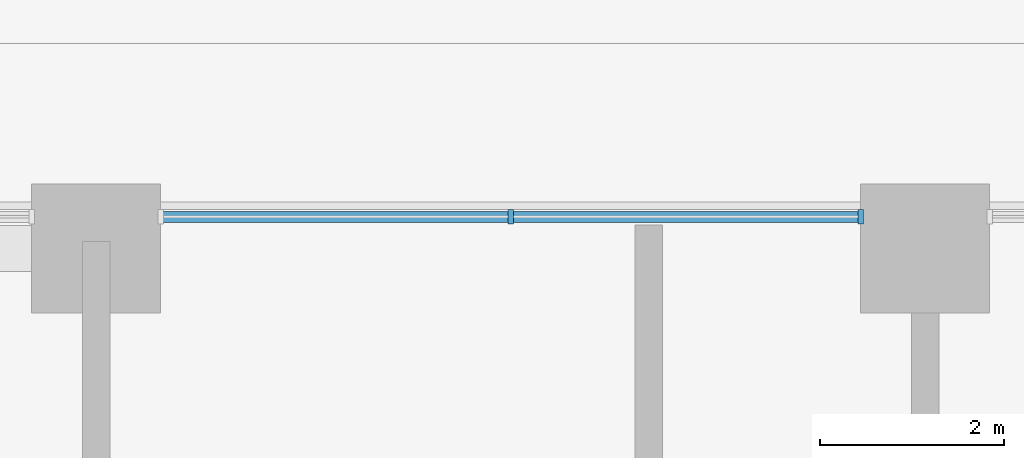
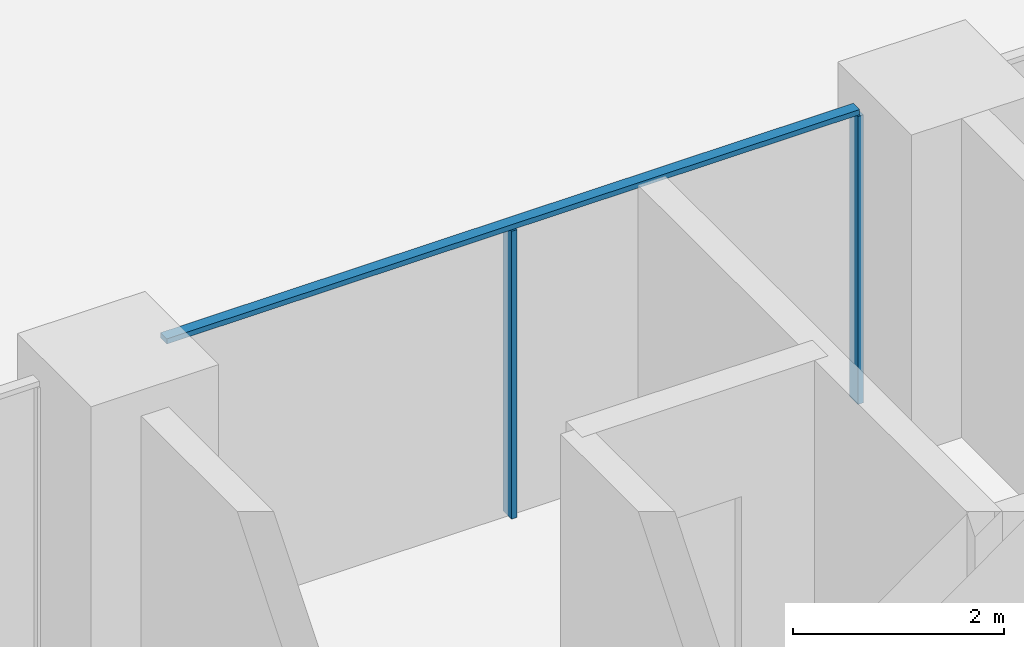
# One storey, part 4 of 51: 3 members, 1 element without a shape of its own.
"""IFC4 building model written with IfcOpenShell, lengths in metres."""

from ifc_helpers import new_model, si_unit, direction, frame, origin, origin_2d, place, context, subcontext, project, spatial, rectangle, extrude, material, material_profile, profile_set, type_object, element, aggregate, save


model = new_model("IFC4")

# Units and contexts
model_context = context("Model", 3, precision=1e-05, world=origin(), true_north=direction((0.0, 1.0)))
body_context = subcontext(model_context, "Body", "Model", "MODEL_VIEW")
ifc_project = project(units=[si_unit("LENGTHUNIT", "METRE"), si_unit("AREAUNIT", "SQUARE_METRE"), si_unit("VOLUMEUNIT", "CUBIC_METRE"), si_unit("PLANEANGLEUNIT", "RADIAN"), si_unit("MASSUNIT", "GRAM", prefix="KILO")], contexts=[model_context])

# Site, building, storey
site_placement = place(None, origin())
site = spatial("IfcSite", under=ifc_project, at=site_placement, CompositionType="ELEMENT")
building_placement = place(site_placement, origin())
building = spatial("IfcBuilding", under=site, at=building_placement, Name="Ogive Portal Towers", CompositionType="ELEMENT")
storey_placement = place(building_placement, frame((0.0, 0.0, 33.5)))
storey = spatial("IfcBuildingStorey", under=building, at=storey_placement, Name="L06", CompositionType="ELEMENT", Elevation=33.5)

# Curtain wall, members
ifc_material_1 = material(Name="Glass, clear low-iron insulated glazing", Category="glass")
curtain_wall_type = type_object("IfcCurtainWallType", Name="CW FRONT RIBBON 4500", PredefinedType="NOTDEFINED", material=ifc_material_1)
curtain_wall_placement = place(storey_placement, origin())
curtain_wall = element("IfcCurtainWall", 1, at=curtain_wall_placement, inside=storey, type_object=curtain_wall_type, Name="A:L06:f27:cw0~1", PredefinedType="NOTDEFINED")
ifc_material_2 = material(Name="Aluminium 6063 anodised", Category="aluminium")
ifc_material_profile_1 = material_profile(ifc_material_2, rectangle(XDim=0.159912109375, YDim=0.06005859375, at=origin_2d()), Name="AL 60x160")
ifc_profile_set_1 = profile_set([ifc_material_profile_1], Name="Aluminium 6063 anodised")
member_type_1 = type_object("IfcMemberType", Name="CW MULLION 60x160", PredefinedType="MULLION", material=ifc_profile_set_1)
member_1_placement = place(storey_placement, frame((84.800048828125, 39.844970703125, 0.0), z_axis=(0.0, 0.0, 1.0), x_axis=(0.0, -1.0, 0.0)))
member_1 = element("IfcMember", 2, at=member_1_placement, type_object=member_type_1, Name="mullion", PredefinedType="MULLION", context=body_context, shape_type="SweptSolid", body=[
    extrude(rectangle(XDim=0.159912109375, YDim=0.06005859375, at=origin_2d()), origin(), (0.0, 0.0, 1.0), 3.340087890625),
])
member_2_placement = place(storey_placement, frame((81.0, 39.844970703125, 0.0), z_axis=(0.0, 0.0, 1.0), x_axis=(0.0, -1.0, 0.0)))
member_2 = element("IfcMember", 3, at=member_2_placement, type_object=member_type_1, Name="mullion", PredefinedType="MULLION", context=body_context, shape_type="SweptSolid", body=[
    extrude(rectangle(XDim=0.159912109375, YDim=0.06005859375, at=origin_2d()), origin(), (0.0, 0.0, 1.0), 3.340087890625),
])
ifc_material_profile_2 = material_profile(ifc_material_2, rectangle(XDim=0.1201171875, YDim=0.06005859375, at=origin_2d()), Name="AL 120x60")
ifc_profile_set_2 = profile_set([ifc_material_profile_2], Name="Aluminium 6063 anodised")
member_type_2 = type_object("IfcMemberType", Name="CW TRANSOM 60x120", PredefinedType="USERDEFINED", material=ifc_profile_set_2)
member_3_placement = place(storey_placement, frame((84.800048828125, 39.844970703125, 3.3701171875), z_axis=(-1.0, 0.0, 0.0), x_axis=(0.0, -1.0, 0.0)))
member_3 = element("IfcMember", 4, at=member_3_placement, type_object=member_type_2, Name="transom", ObjectType="TRANSOM", PredefinedType="USERDEFINED", context=body_context, shape_type="SweptSolid", body=[
    extrude(rectangle(XDim=0.1201171875, YDim=0.06005859375, at=origin_2d()), origin(), (0.0, 0.0, 1.0), 7.60009765625),
])
aggregate(curtain_wall, [member_3, member_1, member_2])

save(model, "model.ifc")
